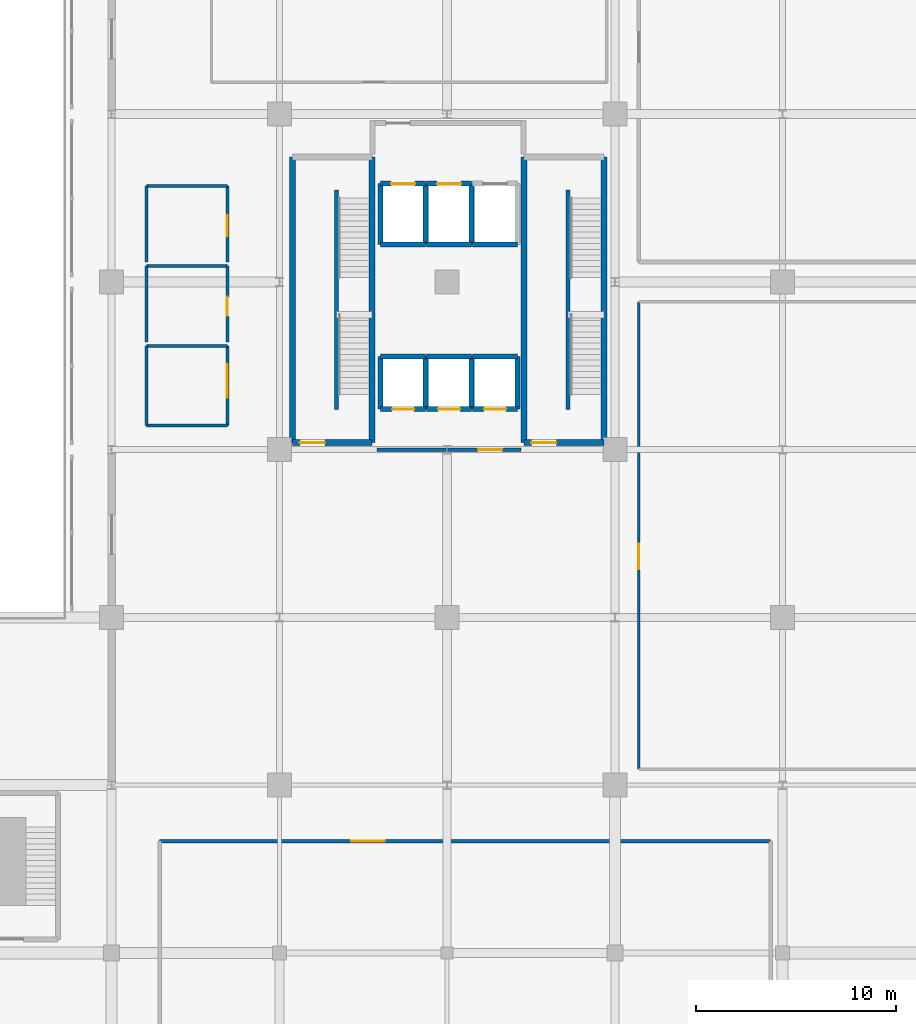
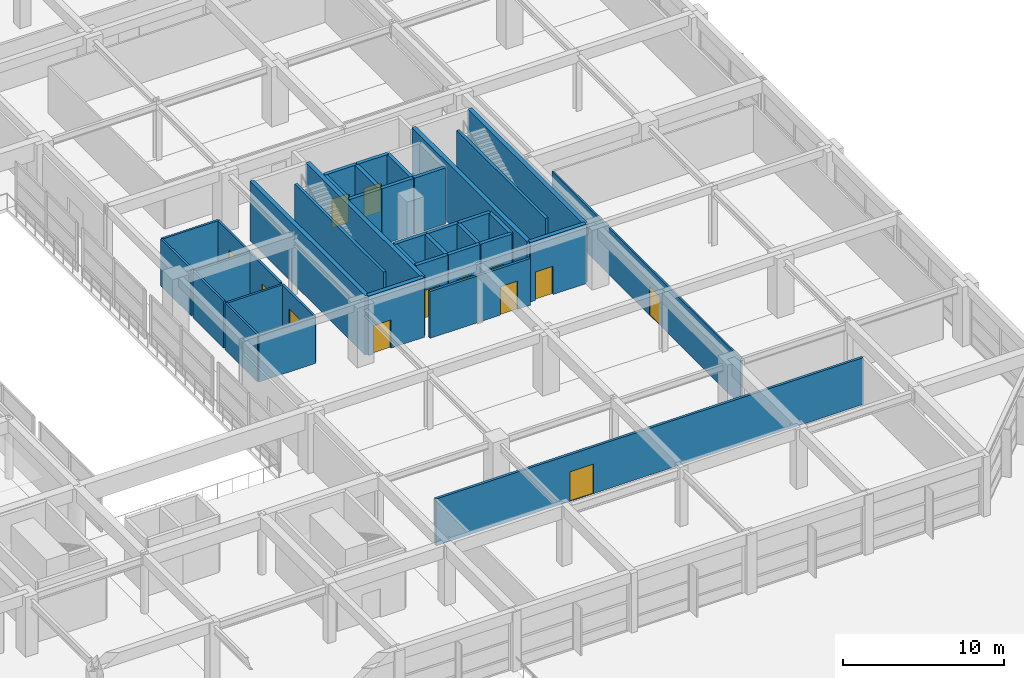
# One storey, part 49 of 60: 39 walls, 13 doors, 13 openings.
"""IFC4 building model written with IfcOpenShell, lengths in metres."""

from ifc_helpers import new_model, si_unit, direction, frame, frame_2d, origin, place, context, subcontext, project, spatial, rectangle, extrude, material, layer, layer_set, type_object, element, fill, save


model = new_model("IFC4")

# Units and contexts
model_context = context("Model", 3, precision=1e-05, world=origin(), true_north=direction((0.0, 1.0)))
body_context = subcontext(model_context, "Body", "Model", "MODEL_VIEW")
ifc_project = project(units=[si_unit("LENGTHUNIT", "METRE"), si_unit("AREAUNIT", "SQUARE_METRE"), si_unit("VOLUMEUNIT", "CUBIC_METRE"), si_unit("PLANEANGLEUNIT", "RADIAN"), si_unit("MASSUNIT", "GRAM", prefix="KILO")], contexts=[model_context])

# Site, building, storey
site_placement = place(None, origin())
site = spatial("IfcSite", under=ifc_project, at=site_placement, CompositionType="ELEMENT")
building_placement = place(site_placement, origin())
building = spatial("IfcBuilding", under=site, at=building_placement, Name="Xuanlan Plaza Opera House", CompositionType="ELEMENT")
storey_placement = place(building_placement, frame((0.0, 0.0, 9.89990234375)))
storey = spatial("IfcBuildingStorey", under=building, at=storey_placement, Name="L02", CompositionType="ELEMENT", Elevation=9.89990234375)

# Wall, opening, door
ifc_material_1 = material(Name="Gypsum Board and Galvanised Steel Studs", Category="gypsum")
ifc_layer_1 = layer(ifc_material_1, 0.179931640625)
ifc_layer_set_1 = layer_set([ifc_layer_1], Name="Gypsum Board and Galvanised Steel Studs")
wall_type_1 = type_object("IfcWallType", Name="INT-WL-PW-02", PredefinedType="PARTITIONING", material=ifc_layer_set_1)
wall_1_placement = place(storey_placement, frame((139.300048828125, 50.39990234375, 0.0), z_axis=(0.0, 0.0, 1.0), x_axis=(1.0, 0.0, 0.0)))
wall_1 = element("IfcWall", 1, at=wall_1_placement, inside=storey, type_object=wall_type_1, Name="Tower Lift Lobby Wall South", PredefinedType="PARTITIONING", context=body_context, shape_type="SweptSolid", body=[
    extrude(rectangle(XDim=7.199951171875, YDim=0.179931640625, at=frame_2d((3.60009765625, 0.0))), origin(), (0.0, 0.0, 1.0), 3.5400390625),
])
opening_1_placement = place(wall_1_placement, frame((5.050048828125, 0.0, 0.0)))
opening_1 = element("IfcOpeningElement", 2, at=opening_1_placement, cuts=wall_1, Name="Opening FD-02", PredefinedType="OPENING", context=body_context, shape_type="SweptSolid", body=[
    extrude(rectangle(XDim=1.199951171875, YDim=2.14990234375, at=frame_2d((0.60009765625, 1.074951171875))), frame((0.0, 0.099853515625, 0.0), z_axis=(0.0, -1.0, 0.0), x_axis=(1.0, 0.0, 0.0)), (0.0, 0.0, 1.0), 0.199951171875),
])
ifc_material_2 = material(Name="Galvanised Steel Q235B", Category="steel")
door_type_1 = type_object("IfcDoorType", Name="INT-DR-FD-02", OperationType="NOTDEFINED", PredefinedType="DOOR", material=ifc_material_2)
door_1_placement = place(opening_1_placement, frame((1.199951171875, 0.0, 0.0), z_axis=(0.0, 0.0, 1.0), x_axis=(-1.0, 0.0, 0.0)))
door_1 = element("IfcDoor", 3, at=door_1_placement, inside=storey, type_object=door_type_1, Name="Tower Lift Lobby Door 1", OperationType="SINGLE_SWING_RIGHT", OverallHeight=2.14990234375, OverallWidth=1.199951171875, PredefinedType="DOOR", context=body_context, shape_type="SweptSolid", body=[
    extrude(rectangle(XDim=1.199951171875, YDim=2.14990234375, at=frame_2d((0.60009765625, 1.074951171875))), frame((0.0, 0.02490234375, 0.0), z_axis=(0.0, -1.0, 0.0), x_axis=(1.0, 0.0, 0.0)), (0.0, 0.0, 1.0), 0.050048828125),
])
fill(opening_1, door_1)

wall_2_placement = place(storey_placement, frame((128.39990234375, 30.800048828125, 0.0), z_axis=(0.0, 0.0, 1.0), x_axis=(1.0, 0.0, 0.0)))
wall_2 = element("IfcWall", 4, at=wall_2_placement, inside=storey, type_object=wall_type_1, Name="Cultural Exchange Archive Wall North", PredefinedType="PARTITIONING", context=body_context, shape_type="SweptSolid", body=[
    extrude(rectangle(XDim=30.60009765625, YDim=0.179931640625, at=frame_2d((15.300048828125, 0.0))), origin(), (0.0, 0.0, 1.0), 3.5400390625),
])
opening_2_placement = place(wall_2_placement, frame((9.60009765625, 0.0, 0.0)))
opening_2 = element("IfcOpeningElement", 5, at=opening_2_placement, cuts=wall_2, Name="Opening D-14", PredefinedType="OPENING", context=body_context, shape_type="SweptSolid", body=[
    extrude(rectangle(XDim=1.679931640625, YDim=2.239990234375, at=frame_2d((0.83984375, 1.1201171875))), frame((0.0, 0.099853515625, 0.0), z_axis=(0.0, -1.0, 0.0), x_axis=(1.0, 0.0, 0.0)), (0.0, 0.0, 1.0), 0.199951171875),
])
ifc_material_3 = material(Name="Oak Hardwood Timber", Category="wood")
door_type_2 = type_object("IfcDoorType", Name="INT-DR-D-14", OperationType="DOUBLE_DOOR_SINGLE_SWING", PredefinedType="DOOR", material=ifc_material_3)
door_2_placement = place(opening_2_placement, origin())
door_2 = element("IfcDoor", 6, at=door_2_placement, inside=storey, type_object=door_type_2, Name="Cultural Exchange Archive Door 1", OperationType="DOUBLE_DOOR_SINGLE_SWING", OverallHeight=2.239990234375, OverallWidth=1.679931640625, PredefinedType="DOOR", context=body_context, shape_type="SweptSolid", body=[
    extrude(rectangle(XDim=1.679931640625, YDim=2.239990234375, at=frame_2d((0.83984375, 1.1201171875))), frame((0.0, 0.02490234375, 0.0), z_axis=(0.0, -1.0, 0.0), x_axis=(1.0, 0.0, 0.0)), (0.0, 0.0, 1.0), 0.050048828125),
])
fill(opening_2, door_2)

# Walls
ifc_material_4 = material(Name="Autoclaved Aerated Blockwork Masonry", Category="masonry")
ifc_layer_2 = layer(ifc_material_4, 0.14990234375)
ifc_layer_set_2 = layer_set([ifc_layer_2], Name="Autoclaved Aerated Blockwork Masonry")
wall_type_2 = type_object("IfcWallType", Name="INT-WL-PW-03", PredefinedType="PARTITIONING", material=ifc_layer_set_2)
for number, where, z_axis, x_axis, name in (
    (7, (127.75, 51.60009765625, 0.0), (0.0, 0.0, 1.0), (1.0, 0.0, 0.0), "Public WC Wall South"),
    (8, (127.75, 55.60009765625, 0.0), (0.0, 0.0, 1.0), (1.0, 0.0, 0.0), "Public WC Wall North"),
):
    element("IfcWall", number, at=place(storey_placement, frame(where, z_axis=z_axis, x_axis=x_axis)), inside=storey, type_object=wall_type_2, Name=name, PredefinedType="PARTITIONING", context=body_context, shape_type="SweptSolid", body=[
        extrude(rectangle(XDim=4.050048828125, YDim=0.14990234375, at=frame_2d((2.02490234375, 0.0))), origin(), (0.0, 0.0, 1.0), 3.5400390625),
    ])
wall_3_placement = place(storey_placement, frame((127.75, 51.60009765625, 0.0), z_axis=(0.0, 0.0, 1.0), x_axis=(0.0, 1.0, 0.0)))
element("IfcWall", 9, at=wall_3_placement, inside=storey, type_object=wall_type_2, Name="Public WC Wall West", PredefinedType="PARTITIONING", context=body_context, shape_type="SweptSolid", body=[
    extrude(rectangle(XDim=4.0, YDim=0.14990234375, at=frame_2d((2.0, 0.0))), origin(), (0.0, 0.0, 1.0), 3.5400390625),
])

# Wall, opening, door
wall_4_placement = place(storey_placement, frame((131.800048828125, 51.60009765625, 0.0), z_axis=(0.0, 0.0, 1.0), x_axis=(0.0, 1.0, 0.0)))
wall_4 = element("IfcWall", 10, at=wall_4_placement, inside=storey, type_object=wall_type_2, Name="Public WC Wall East", PredefinedType="PARTITIONING", context=body_context, shape_type="SweptSolid", body=[
    extrude(rectangle(XDim=4.0, YDim=0.14990234375, at=frame_2d((2.0, 0.0))), origin(), (0.0, 0.0, 1.0), 3.5400390625),
])
opening_3_placement = place(wall_4_placement, frame((1.39990234375, 0.0, 0.0)))
opening_3 = element("IfcOpeningElement", 11, at=opening_3_placement, cuts=wall_4, Name="Opening D-14", PredefinedType="OPENING", context=body_context, shape_type="SweptSolid", body=[
    extrude(rectangle(XDim=1.679931640625, YDim=2.239990234375, at=frame_2d((0.83984375, 1.1201171875))), frame((0.0, 0.0849609375, 0.0), z_axis=(0.0, -1.0, 0.0), x_axis=(1.0, 0.0, 0.0)), (0.0, 0.0, 1.0), 0.169921875),
])
door_3_placement = place(opening_3_placement, origin())
door_3 = element("IfcDoor", 12, at=door_3_placement, inside=storey, type_object=door_type_2, Name="Public WC Door 1", OperationType="DOUBLE_DOOR_SINGLE_SWING", OverallHeight=2.239990234375, OverallWidth=1.679931640625, PredefinedType="DOOR", context=body_context, shape_type="SweptSolid", body=[
    extrude(rectangle(XDim=1.679931640625, YDim=2.239990234375, at=frame_2d((0.83984375, 1.1201171875))), frame((0.0, 0.02490234375, 0.0), z_axis=(0.0, -1.0, 0.0), x_axis=(1.0, 0.0, 0.0)), (0.0, 0.0, 1.0), 0.050048828125),
])
fill(opening_3, door_3)

# Walls
wall_5_placement = place(storey_placement, frame((127.75, 59.60009765625, 0.0), z_axis=(0.0, 0.0, 1.0), x_axis=(1.0, 0.0, 0.0)))
element("IfcWall", 13, at=wall_5_placement, inside=storey, type_object=wall_type_2, Name="Staff WC Wall North", PredefinedType="PARTITIONING", context=body_context, shape_type="SweptSolid", body=[
    extrude(rectangle(XDim=4.050048828125, YDim=0.14990234375, at=frame_2d((2.02490234375, 0.0))), origin(), (0.0, 0.0, 1.0), 3.5400390625),
])
wall_6_placement = place(storey_placement, frame((127.75, 55.800048828125, 0.0), z_axis=(0.0, 0.0, 1.0), x_axis=(0.0, 1.0, 0.0)))
element("IfcWall", 14, at=wall_6_placement, inside=storey, type_object=wall_type_2, Name="Staff WC Wall West", PredefinedType="PARTITIONING", context=body_context, shape_type="SweptSolid", body=[
    extrude(rectangle(XDim=3.800048828125, YDim=0.14990234375, at=frame_2d((1.89990234375, 0.0))), origin(), (0.0, 0.0, 1.0), 3.5400390625),
])

# Wall, opening, door
wall_7_placement = place(storey_placement, frame((131.800048828125, 55.800048828125, 0.0), z_axis=(0.0, 0.0, 1.0), x_axis=(0.0, 1.0, 0.0)))
wall_7 = element("IfcWall", 15, at=wall_7_placement, inside=storey, type_object=wall_type_2, Name="Staff WC Wall East", PredefinedType="PARTITIONING", context=body_context, shape_type="SweptSolid", body=[
    extrude(rectangle(XDim=3.800048828125, YDim=0.14990234375, at=frame_2d((1.89990234375, 0.0))), origin(), (0.0, 0.0, 1.0), 3.5400390625),
])
opening_4_placement = place(wall_7_placement, frame((1.300048828125, 0.0, 0.0)))
opening_4 = element("IfcOpeningElement", 16, at=opening_4_placement, cuts=wall_7, Name="Opening D-01", PredefinedType="OPENING", context=body_context, shape_type="SweptSolid", body=[
    extrude(rectangle(XDim=0.949951171875, YDim=2.10009765625, at=frame_2d((0.47509765625, 1.050048828125))), frame((0.0, 0.0849609375, 0.0), z_axis=(0.0, -1.0, 0.0), x_axis=(1.0, 0.0, 0.0)), (0.0, 0.0, 1.0), 0.169921875),
])
ifc_material_5 = material(Name="Walnut Hardwood Timber", Category="wood")
door_type_3 = type_object("IfcDoorType", Name="INT-DR-D-01", OperationType="NOTDEFINED", PredefinedType="DOOR", material=ifc_material_5)
door_4_placement = place(opening_4_placement, origin())
door_4 = element("IfcDoor", 17, at=door_4_placement, inside=storey, type_object=door_type_3, Name="Staff WC Door 1", OperationType="SINGLE_SWING_RIGHT", OverallHeight=2.10009765625, OverallWidth=0.949951171875, PredefinedType="DOOR", context=body_context, shape_type="SweptSolid", body=[
    extrude(rectangle(XDim=0.949951171875, YDim=2.10009765625, at=frame_2d((0.47509765625, 1.050048828125))), frame((0.0, 0.02490234375, 0.0), z_axis=(0.0, -1.0, 0.0), x_axis=(1.0, 0.0, 0.0)), (0.0, 0.0, 1.0), 0.050048828125),
])
fill(opening_4, door_4)

# Walls
wall_8_placement = place(storey_placement, frame((127.75, 63.60009765625, 0.0), z_axis=(0.0, 0.0, 1.0), x_axis=(1.0, 0.0, 0.0)))
element("IfcWall", 18, at=wall_8_placement, inside=storey, type_object=wall_type_2, Name="Accessible WC Wall North", PredefinedType="PARTITIONING", context=body_context, shape_type="SweptSolid", body=[
    extrude(rectangle(XDim=4.050048828125, YDim=0.14990234375, at=frame_2d((2.02490234375, 0.0))), origin(), (0.0, 0.0, 1.0), 3.5400390625),
])
wall_9_placement = place(storey_placement, frame((127.75, 59.800048828125, 0.0), z_axis=(0.0, 0.0, 1.0), x_axis=(0.0, 1.0, 0.0)))
element("IfcWall", 19, at=wall_9_placement, inside=storey, type_object=wall_type_2, Name="Accessible WC Wall West", PredefinedType="PARTITIONING", context=body_context, shape_type="SweptSolid", body=[
    extrude(rectangle(XDim=3.800048828125, YDim=0.14990234375, at=frame_2d((1.89990234375, 0.0))), origin(), (0.0, 0.0, 1.0), 3.5400390625),
])

# Wall, opening, door
wall_10_placement = place(storey_placement, frame((131.800048828125, 59.800048828125, 0.0), z_axis=(0.0, 0.0, 1.0), x_axis=(0.0, 1.0, 0.0)))
wall_10 = element("IfcWall", 20, at=wall_10_placement, inside=storey, type_object=wall_type_2, Name="Accessible WC Wall East", PredefinedType="PARTITIONING", context=body_context, shape_type="SweptSolid", body=[
    extrude(rectangle(XDim=3.800048828125, YDim=0.14990234375, at=frame_2d((1.89990234375, 0.0))), origin(), (0.0, 0.0, 1.0), 3.5400390625),
])
opening_5_placement = place(wall_10_placement, frame((1.300048828125, 0.0, 0.0)))
opening_5 = element("IfcOpeningElement", 21, at=opening_5_placement, cuts=wall_10, Name="Opening D-16", PredefinedType="OPENING", context=body_context, shape_type="SweptSolid", body=[
    extrude(rectangle(XDim=1.050048828125, YDim=2.159912109375, at=frame_2d((0.52490234375, 1.080078125))), frame((0.0, 0.0849609375, 0.0), z_axis=(0.0, -1.0, 0.0), x_axis=(1.0, 0.0, 0.0)), (0.0, 0.0, 1.0), 0.169921875),
])
door_type_4 = type_object("IfcDoorType", Name="INT-DR-D-16", OperationType="NOTDEFINED", PredefinedType="DOOR", material=ifc_material_3)
door_5_placement = place(opening_5_placement, origin())
door_5 = element("IfcDoor", 22, at=door_5_placement, inside=storey, type_object=door_type_4, Name="Accessible WC Door 1", OperationType="SINGLE_SWING_LEFT", OverallHeight=2.159912109375, OverallWidth=1.050048828125, PredefinedType="DOOR", context=body_context, shape_type="SweptSolid", body=[
    extrude(rectangle(XDim=1.050048828125, YDim=2.159912109375, at=frame_2d((0.52490234375, 1.080078125))), frame((0.0, 0.02490234375, 0.0), z_axis=(0.0, -1.0, 0.0), x_axis=(1.0, 0.0, 0.0)), (0.0, 0.0, 1.0), 0.050048828125),
])
fill(opening_5, door_5)

ifc_layer_3 = layer(ifc_material_1, 0.1201171875)
ifc_layer_set_3 = layer_set([ifc_layer_3], Name="Gypsum Board and Galvanised Steel Studs")
wall_type_3 = type_object("IfcWallType", Name="INT-WL-PW-04", PredefinedType="PARTITIONING", material=ifc_layer_set_3)
wall_11_placement = place(storey_placement, frame((152.39990234375, 34.39990234375, 0.0), z_axis=(0.0, 0.0, 1.0), x_axis=(0.0, 1.0, 0.0)))
wall_11 = element("IfcWall", 23, at=wall_11_placement, inside=storey, type_object=wall_type_3, Name="Symposium Meeting Suite South Wall West", PredefinedType="PARTITIONING", context=body_context, shape_type="SweptSolid", body=[
    extrude(rectangle(XDim=23.400146484375, YDim=0.1201171875, at=frame_2d((11.7001953125, 0.0))), origin(), (0.0, 0.0, 1.0), 3.5400390625),
])
opening_6_placement = place(wall_11_placement, frame((10.0, 0.0, 0.0)))
opening_6 = element("IfcOpeningElement", 24, at=opening_6_placement, cuts=wall_11, Name="Opening D-11", PredefinedType="OPENING", context=body_context, shape_type="SweptSolid", body=[
    extrude(rectangle(XDim=1.280029296875, YDim=2.159912109375, at=frame_2d((0.64013671875, 1.080078125))), frame((0.0, 0.070068359375, 0.0), z_axis=(0.0, -1.0, 0.0), x_axis=(1.0, 0.0, 0.0)), (0.0, 0.0, 1.0), 0.14013671875),
])
door_type_5 = type_object("IfcDoorType", Name="INT-DR-D-11", OperationType="NOTDEFINED", PredefinedType="DOOR", material=ifc_material_5)
door_6_placement = place(opening_6_placement, origin())
door_6 = element("IfcDoor", 25, at=door_6_placement, inside=storey, type_object=door_type_5, Name="Symposium Meeting Suite South Door 1", OperationType="SINGLE_SWING_LEFT", OverallHeight=2.159912109375, OverallWidth=1.280029296875, PredefinedType="DOOR", context=body_context, shape_type="SweptSolid", body=[
    extrude(rectangle(XDim=1.280029296875, YDim=2.159912109375, at=frame_2d((0.64013671875, 1.080078125))), frame((0.0, 0.02490234375, 0.0), z_axis=(0.0, -1.0, 0.0), x_axis=(1.0, 0.0, 0.0)), (0.0, 0.0, 1.0), 0.050048828125),
])
fill(opening_6, door_6)

# Wall
ifc_material_6 = material(Name="Concrete C40", Category="concrete")
ifc_layer_4 = layer(ifc_material_6, 0.25)
ifc_layer_set_4 = layer_set([ifc_layer_4], Name="Concrete C40")
wall_type_4 = type_object("IfcWallType", Name="INT-WL-SW-LF1", PredefinedType="SHEAR", material=ifc_layer_set_4)
wall_12_placement = place(storey_placement, frame((139.47509765625, 60.675048828125, 0.0), z_axis=(0.0, 0.0, 1.0), x_axis=(1.0, 0.0, 0.0)))
element("IfcWall", 26, at=wall_12_placement, inside=storey, type_object=wall_type_4, Name="Lift Shaft Wall LF-FF1 L02 South", PredefinedType="SHEAR", context=body_context, shape_type="SweptSolid", body=[
    extrude(rectangle(XDim=2.25, YDim=0.25, at=frame_2d((1.125, 0.0))), origin(), (0.0, 0.0, 1.0), 4.239990234375),
])

# Wall, opening, door
wall_13_placement = place(storey_placement, frame((139.47509765625, 63.72509765625, 0.0), z_axis=(0.0, 0.0, 1.0), x_axis=(1.0, 0.0, 0.0)))
wall_13 = element("IfcWall", 27, at=wall_13_placement, inside=storey, type_object=wall_type_4, Name="Lift Shaft Wall LF-FF1 L02 North", PredefinedType="SHEAR", context=body_context, shape_type="SweptSolid", body=[
    extrude(rectangle(XDim=2.25, YDim=0.25, at=frame_2d((1.125, 0.0))), origin(), (0.0, 0.0, 1.0), 4.239990234375),
])
opening_7_placement = place(wall_13_placement, frame((0.52490234375, 0.0, 0.0)))
opening_7 = element("IfcOpeningElement", 28, at=opening_7_placement, cuts=wall_13, Name="Opening LD-FF1-L02", PredefinedType="OPENING", context=body_context, shape_type="SweptSolid", body=[
    extrude(rectangle(XDim=1.199951171875, YDim=2.179931640625, at=frame_2d((0.60009765625, 1.08984375))), frame((0.0, 0.135009765625, 0.0), z_axis=(0.0, -1.0, 0.0), x_axis=(1.0, 0.0, 0.0)), (0.0, 0.0, 1.0), 0.27001953125),
])
ifc_material_7 = material(Name="Stainless Steel S30408", Category="steel")
door_type_6 = type_object("IfcDoorType", Name="INT-DR-LD-02", OperationType="DOUBLE_DOOR_SLIDING", PredefinedType="DOOR", material=ifc_material_7)
door_7_placement = place(opening_7_placement, origin())
door_7 = element("IfcDoor", 29, at=door_7_placement, inside=storey, type_object=door_type_6, Name="Lift Sliding Landing Door LF-FF1 L02", OperationType="DOUBLE_DOOR_SLIDING", OverallHeight=2.179931640625, OverallWidth=1.199951171875, PredefinedType="DOOR", context=body_context, shape_type="SweptSolid", body=[
    extrude(rectangle(XDim=1.199951171875, YDim=2.179931640625, at=frame_2d((0.60009765625, 1.08984375))), frame((0.0, 0.02490234375, 0.0), z_axis=(0.0, -1.0, 0.0), x_axis=(1.0, 0.0, 0.0)), (0.0, 0.0, 1.0), 0.050048828125),
])
fill(opening_7, door_7)

# Walls
for number, where, z_axis, x_axis, name in (
    (30, (139.47509765625, 60.675048828125, 0.0), (0.0, 0.0, 1.0), (0.0, 1.0, 0.0), "Lift Shaft Wall LF-FF1 L02 West"),
    (31, (141.72509765625, 60.675048828125, 0.0), (0.0, 0.0, 1.0), (0.0, 1.0, 0.0), "Lift Shaft Wall LF-FF1 L02 East"),
):
    element("IfcWall", number, at=place(storey_placement, frame(where, z_axis=z_axis, x_axis=x_axis)), inside=storey, type_object=wall_type_4, Name=name, PredefinedType="SHEAR", context=body_context, shape_type="SweptSolid", body=[
        extrude(rectangle(XDim=3.050048828125, YDim=0.25, at=frame_2d((1.52490234375, 0.0))), origin(), (0.0, 0.0, 1.0), 4.239990234375),
    ])
wall_14_placement = place(storey_placement, frame((141.77490234375, 60.675048828125, 0.0), z_axis=(0.0, 0.0, 1.0), x_axis=(1.0, 0.0, 0.0)))
element("IfcWall", 32, at=wall_14_placement, inside=storey, type_object=wall_type_4, Name="Lift Shaft Wall LF-FF2 L02 South", PredefinedType="SHEAR", context=body_context, shape_type="SweptSolid", body=[
    extrude(rectangle(XDim=2.25, YDim=0.25, at=frame_2d((1.125, 0.0))), origin(), (0.0, 0.0, 1.0), 4.239990234375),
])

# Wall, opening, door
wall_15_placement = place(storey_placement, frame((141.77490234375, 63.72509765625, 0.0), z_axis=(0.0, 0.0, 1.0), x_axis=(1.0, 0.0, 0.0)))
wall_15 = element("IfcWall", 33, at=wall_15_placement, inside=storey, type_object=wall_type_4, Name="Lift Shaft Wall LF-FF2 L02 North", PredefinedType="SHEAR", context=body_context, shape_type="SweptSolid", body=[
    extrude(rectangle(XDim=2.25, YDim=0.25, at=frame_2d((1.125, 0.0))), origin(), (0.0, 0.0, 1.0), 4.239990234375),
])
opening_8_placement = place(wall_15_placement, frame((0.52490234375, 0.0, 0.0)))
opening_8 = element("IfcOpeningElement", 34, at=opening_8_placement, cuts=wall_15, Name="Opening LD-FF2-L02", PredefinedType="OPENING", context=body_context, shape_type="SweptSolid", body=[
    extrude(rectangle(XDim=1.199951171875, YDim=2.179931640625, at=frame_2d((0.60009765625, 1.08984375))), frame((0.0, 0.135009765625, 0.0), z_axis=(0.0, -1.0, 0.0), x_axis=(1.0, 0.0, 0.0)), (0.0, 0.0, 1.0), 0.27001953125),
])
door_8_placement = place(opening_8_placement, origin())
door_8 = element("IfcDoor", 35, at=door_8_placement, inside=storey, type_object=door_type_6, Name="Lift Sliding Landing Door LF-FF2 L02", OperationType="DOUBLE_DOOR_SLIDING", OverallHeight=2.179931640625, OverallWidth=1.199951171875, PredefinedType="DOOR", context=body_context, shape_type="SweptSolid", body=[
    extrude(rectangle(XDim=1.199951171875, YDim=2.179931640625, at=frame_2d((0.60009765625, 1.08984375))), frame((0.0, 0.02490234375, 0.0), z_axis=(0.0, -1.0, 0.0), x_axis=(1.0, 0.0, 0.0)), (0.0, 0.0, 1.0), 0.050048828125),
])
fill(opening_8, door_8)

# Walls
wall_16_placement = place(storey_placement, frame((144.02490234375, 60.675048828125, 0.0), z_axis=(0.0, 0.0, 1.0), x_axis=(0.0, 1.0, 0.0)))
element("IfcWall", 36, at=wall_16_placement, inside=storey, type_object=wall_type_4, Name="Lift Shaft Wall LF-FF2 L02 East", PredefinedType="SHEAR", context=body_context, shape_type="SweptSolid", body=[
    extrude(rectangle(XDim=3.050048828125, YDim=0.25, at=frame_2d((1.52490234375, 0.0))), origin(), (0.0, 0.0, 1.0), 4.239990234375),
])
wall_17_placement = place(storey_placement, frame((144.074951171875, 60.675048828125, 0.0), z_axis=(0.0, 0.0, 1.0), x_axis=(1.0, 0.0, 0.0)))
element("IfcWall", 37, at=wall_17_placement, inside=storey, type_object=wall_type_4, Name="Lift Shaft Wall LF-FF3 L02 South", PredefinedType="SHEAR", context=body_context, shape_type="SweptSolid", body=[
    extrude(rectangle(XDim=2.25, YDim=0.25, at=frame_2d((1.125, 0.0))), origin(), (0.0, 0.0, 1.0), 4.239990234375),
])

# Wall, opening, door
wall_18_placement = place(storey_placement, frame((139.47509765625, 52.425048828125, 0.0), z_axis=(0.0, 0.0, 1.0), x_axis=(1.0, 0.0, 0.0)))
wall_18 = element("IfcWall", 38, at=wall_18_placement, inside=storey, type_object=wall_type_4, Name="Lift Shaft Wall LF-P1 L02 South", PredefinedType="SHEAR", context=body_context, shape_type="SweptSolid", body=[
    extrude(rectangle(XDim=2.25, YDim=0.25, at=frame_2d((1.125, 0.0))), origin(), (0.0, 0.0, 1.0), 4.239990234375),
])
opening_9_placement = place(wall_18_placement, frame((0.574951171875, 0.0, 0.0)))
opening_9 = element("IfcOpeningElement", 39, at=opening_9_placement, cuts=wall_18, Name="Opening LD-P1-L02", PredefinedType="OPENING", context=body_context, shape_type="SweptSolid", body=[
    extrude(rectangle(XDim=1.10009765625, YDim=2.14990234375, at=frame_2d((0.550048828125, 1.074951171875))), frame((0.0, 0.135009765625, 0.0), z_axis=(0.0, -1.0, 0.0), x_axis=(1.0, 0.0, 0.0)), (0.0, 0.0, 1.0), 0.27001953125),
])
door_type_7 = type_object("IfcDoorType", Name="INT-DR-LD-01", OperationType="DOUBLE_DOOR_SLIDING", PredefinedType="DOOR", material=ifc_material_7)
door_9_placement = place(opening_9_placement, origin())
door_9 = element("IfcDoor", 40, at=door_9_placement, inside=storey, type_object=door_type_7, Name="Lift Sliding Landing Door LF-P1 L02", OperationType="DOUBLE_DOOR_SLIDING", OverallHeight=2.14990234375, OverallWidth=1.10009765625, PredefinedType="DOOR", context=body_context, shape_type="SweptSolid", body=[
    extrude(rectangle(XDim=1.10009765625, YDim=2.14990234375, at=frame_2d((0.550048828125, 1.074951171875))), frame((0.0, 0.02490234375, 0.0), z_axis=(0.0, -1.0, 0.0), x_axis=(1.0, 0.0, 0.0)), (0.0, 0.0, 1.0), 0.050048828125),
])
fill(opening_9, door_9)

# Walls
wall_19_placement = place(storey_placement, frame((139.47509765625, 55.074951171875, 0.0), z_axis=(0.0, 0.0, 1.0), x_axis=(1.0, 0.0, 0.0)))
element("IfcWall", 41, at=wall_19_placement, inside=storey, type_object=wall_type_4, Name="Lift Shaft Wall LF-P1 L02 North", PredefinedType="SHEAR", context=body_context, shape_type="SweptSolid", body=[
    extrude(rectangle(XDim=2.25, YDim=0.25, at=frame_2d((1.125, 0.0))), origin(), (0.0, 0.0, 1.0), 4.239990234375),
])
for number, where, z_axis, x_axis, name in (
    (42, (139.47509765625, 52.425048828125, 0.0), (0.0, 0.0, 1.0), (0.0, 1.0, 0.0), "Lift Shaft Wall LF-P1 L02 West"),
    (43, (141.72509765625, 52.425048828125, 0.0), (0.0, 0.0, 1.0), (0.0, 1.0, 0.0), "Lift Shaft Wall LF-P1 L02 East"),
):
    element("IfcWall", number, at=place(storey_placement, frame(where, z_axis=z_axis, x_axis=x_axis)), inside=storey, type_object=wall_type_4, Name=name, PredefinedType="SHEAR", context=body_context, shape_type="SweptSolid", body=[
        extrude(rectangle(XDim=2.64990234375, YDim=0.25, at=frame_2d((1.324951171875, 0.0))), origin(), (0.0, 0.0, 1.0), 4.239990234375),
    ])

# Wall, opening, door
wall_20_placement = place(storey_placement, frame((141.77490234375, 52.425048828125, 0.0), z_axis=(0.0, 0.0, 1.0), x_axis=(1.0, 0.0, 0.0)))
wall_20 = element("IfcWall", 44, at=wall_20_placement, inside=storey, type_object=wall_type_4, Name="Lift Shaft Wall LF-P2 L02 South", PredefinedType="SHEAR", context=body_context, shape_type="SweptSolid", body=[
    extrude(rectangle(XDim=2.25, YDim=0.25, at=frame_2d((1.125, 0.0))), origin(), (0.0, 0.0, 1.0), 4.239990234375),
])
opening_10_placement = place(wall_20_placement, frame((0.574951171875, 0.0, 0.0)))
opening_10 = element("IfcOpeningElement", 45, at=opening_10_placement, cuts=wall_20, Name="Opening LD-P2-L02", PredefinedType="OPENING", context=body_context, shape_type="SweptSolid", body=[
    extrude(rectangle(XDim=1.10009765625, YDim=2.14990234375, at=frame_2d((0.550048828125, 1.074951171875))), frame((0.0, 0.135009765625, 0.0), z_axis=(0.0, -1.0, 0.0), x_axis=(1.0, 0.0, 0.0)), (0.0, 0.0, 1.0), 0.27001953125),
])
door_10_placement = place(opening_10_placement, origin())
door_10 = element("IfcDoor", 46, at=door_10_placement, inside=storey, type_object=door_type_7, Name="Lift Sliding Landing Door LF-P2 L02", OperationType="DOUBLE_DOOR_SLIDING", OverallHeight=2.14990234375, OverallWidth=1.10009765625, PredefinedType="DOOR", context=body_context, shape_type="SweptSolid", body=[
    extrude(rectangle(XDim=1.10009765625, YDim=2.14990234375, at=frame_2d((0.550048828125, 1.074951171875))), frame((0.0, 0.02490234375, 0.0), z_axis=(0.0, -1.0, 0.0), x_axis=(1.0, 0.0, 0.0)), (0.0, 0.0, 1.0), 0.050048828125),
])
fill(opening_10, door_10)

# Walls
wall_21_placement = place(storey_placement, frame((141.77490234375, 55.074951171875, 0.0), z_axis=(0.0, 0.0, 1.0), x_axis=(1.0, 0.0, 0.0)))
element("IfcWall", 47, at=wall_21_placement, inside=storey, type_object=wall_type_4, Name="Lift Shaft Wall LF-P2 L02 North", PredefinedType="SHEAR", context=body_context, shape_type="SweptSolid", body=[
    extrude(rectangle(XDim=2.25, YDim=0.25, at=frame_2d((1.125, 0.0))), origin(), (0.0, 0.0, 1.0), 4.239990234375),
])
wall_22_placement = place(storey_placement, frame((144.02490234375, 52.425048828125, 0.0), z_axis=(0.0, 0.0, 1.0), x_axis=(0.0, 1.0, 0.0)))
element("IfcWall", 48, at=wall_22_placement, inside=storey, type_object=wall_type_4, Name="Lift Shaft Wall LF-P2 L02 East", PredefinedType="SHEAR", context=body_context, shape_type="SweptSolid", body=[
    extrude(rectangle(XDim=2.64990234375, YDim=0.25, at=frame_2d((1.324951171875, 0.0))), origin(), (0.0, 0.0, 1.0), 4.239990234375),
])

# Wall, opening, door
wall_23_placement = place(storey_placement, frame((144.074951171875, 52.425048828125, 0.0), z_axis=(0.0, 0.0, 1.0), x_axis=(1.0, 0.0, 0.0)))
wall_23 = element("IfcWall", 49, at=wall_23_placement, inside=storey, type_object=wall_type_4, Name="Lift Shaft Wall LF-P3 L02 South", PredefinedType="SHEAR", context=body_context, shape_type="SweptSolid", body=[
    extrude(rectangle(XDim=2.25, YDim=0.25, at=frame_2d((1.125, 0.0))), origin(), (0.0, 0.0, 1.0), 4.239990234375),
])
opening_11_placement = place(wall_23_placement, frame((0.574951171875, 0.0, 0.0)))
opening_11 = element("IfcOpeningElement", 50, at=opening_11_placement, cuts=wall_23, Name="Opening LD-P3-L02", PredefinedType="OPENING", context=body_context, shape_type="SweptSolid", body=[
    extrude(rectangle(XDim=1.10009765625, YDim=2.14990234375, at=frame_2d((0.550048828125, 1.074951171875))), frame((0.0, 0.135009765625, 0.0), z_axis=(0.0, -1.0, 0.0), x_axis=(1.0, 0.0, 0.0)), (0.0, 0.0, 1.0), 0.27001953125),
])
door_11_placement = place(opening_11_placement, origin())
door_11 = element("IfcDoor", 51, at=door_11_placement, inside=storey, type_object=door_type_7, Name="Lift Sliding Landing Door LF-P3 L02", OperationType="DOUBLE_DOOR_SLIDING", OverallHeight=2.14990234375, OverallWidth=1.10009765625, PredefinedType="DOOR", context=body_context, shape_type="SweptSolid", body=[
    extrude(rectangle(XDim=1.10009765625, YDim=2.14990234375, at=frame_2d((0.550048828125, 1.074951171875))), frame((0.0, 0.02490234375, 0.0), z_axis=(0.0, -1.0, 0.0), x_axis=(1.0, 0.0, 0.0)), (0.0, 0.0, 1.0), 0.050048828125),
])
fill(opening_11, door_11)

# Walls
wall_24_placement = place(storey_placement, frame((144.074951171875, 55.074951171875, 0.0), z_axis=(0.0, 0.0, 1.0), x_axis=(1.0, 0.0, 0.0)))
element("IfcWall", 52, at=wall_24_placement, inside=storey, type_object=wall_type_4, Name="Lift Shaft Wall LF-P3 L02 North", PredefinedType="SHEAR", context=body_context, shape_type="SweptSolid", body=[
    extrude(rectangle(XDim=2.25, YDim=0.25, at=frame_2d((1.125, 0.0))), origin(), (0.0, 0.0, 1.0), 4.239990234375),
])
wall_25_placement = place(storey_placement, frame((146.324951171875, 52.425048828125, 0.0), z_axis=(0.0, 0.0, 1.0), x_axis=(0.0, 1.0, 0.0)))
element("IfcWall", 53, at=wall_25_placement, inside=storey, type_object=wall_type_4, Name="Lift Shaft Wall LF-P3 L02 East", PredefinedType="SHEAR", context=body_context, shape_type="SweptSolid", body=[
    extrude(rectangle(XDim=2.64990234375, YDim=0.25, at=frame_2d((1.324951171875, 0.0))), origin(), (0.0, 0.0, 1.0), 4.239990234375),
])
ifc_layer_5 = layer(ifc_material_6, 0.199951171875)
ifc_layer_set_5 = layer_set([ifc_layer_5], Name="Concrete C40")
wall_type_5 = type_object("IfcWallType", Name="INT-WL-SW-SPN", PredefinedType="SHEAR", material=ifc_layer_set_5)
for number, where, z_axis, x_axis, name in (
    (54, (137.25, 52.39990234375, 0.0), (0.0, 0.0, 1.0), (0.0, 1.0, 0.0), "Stair Structural Spine Wall ST-T1 L02"),
    (55, (148.85009765625, 52.39990234375, 0.0), (0.0, 0.0, 1.0), (0.0, 1.0, 0.0), "Stair Structural Spine Wall ST-T2 L02"),
):
    element("IfcWall", number, at=place(storey_placement, frame(where, z_axis=z_axis, x_axis=x_axis)), inside=storey, type_object=wall_type_5, Name=name, PredefinedType="SHEAR", context=body_context, shape_type="SweptSolid", body=[
        extrude(rectangle(XDim=11.0, YDim=0.199951171875, at=frame_2d((5.5, 0.0))), origin(), (0.0, 0.0, 1.0), 4.5),
    ])

# Wall, opening, door
ifc_layer_6 = layer(ifc_material_6, 0.300048828125)
ifc_layer_set_6 = layer_set([ifc_layer_6], Name="Concrete C40")
wall_type_6 = type_object("IfcWallType", Name="INT-WL-SW-ST1", PredefinedType="SHEAR", material=ifc_layer_set_6)
wall_26_placement = place(storey_placement, frame((135.050048828125, 50.75, 0.0), z_axis=(0.0, 0.0, 1.0), x_axis=(1.0, 0.0, 0.0)))
wall_26 = element("IfcWall", 56, at=wall_26_placement, inside=storey, type_object=wall_type_6, Name="Stair Core Wall ST-T1 L02 South", PredefinedType="SHEAR", context=body_context, shape_type="SweptSolid", body=[
    extrude(rectangle(XDim=4.0, YDim=0.300048828125, at=frame_2d((2.0, 0.0))), origin(), (0.0, 0.0, 1.0), 4.5),
])
opening_12_placement = place(wall_26_placement, frame((0.375, 0.0, 0.0)))
opening_12 = element("IfcOpeningElement", 57, at=opening_12_placement, cuts=wall_26, Name="Opening FD-ST1", PredefinedType="OPENING", context=body_context, shape_type="SweptSolid", body=[
    extrude(rectangle(XDim=1.25, YDim=2.14990234375, at=frame_2d((0.625, 1.074951171875))), frame((0.0, 0.159912109375, 0.0), z_axis=(0.0, -1.0, 0.0), x_axis=(1.0, 0.0, 0.0)), (0.0, 0.0, 1.0), 0.320068359375),
])
door_type_8 = type_object("IfcDoorType", Name="INT-DR-FD-ST1", OperationType="NOTDEFINED", PredefinedType="DOOR", material=ifc_material_2)
door_12_placement = place(opening_12_placement, origin())
door_12 = element("IfcDoor", 58, at=door_12_placement, inside=storey, type_object=door_type_8, Name="Stair Enclosure Fire Door ST-T1 L02", OperationType="SINGLE_SWING_LEFT", OverallHeight=2.14990234375, OverallWidth=1.25, PredefinedType="DOOR", context=body_context, shape_type="SweptSolid", body=[
    extrude(rectangle(XDim=1.25, YDim=2.14990234375, at=frame_2d((0.625, 1.074951171875))), frame((0.0, 0.02490234375, 0.0), z_axis=(0.0, -1.0, 0.0), x_axis=(1.0, 0.0, 0.0)), (0.0, 0.0, 1.0), 0.050048828125),
])
fill(opening_12, door_12)

# Walls
for number, where, z_axis, x_axis, name in (
    (59, (135.050048828125, 50.75, 0.0), (0.0, 0.0, 1.0), (0.0, 1.0, 0.0), "Stair Core Wall ST-T1 L02 West"),
    (60, (139.050048828125, 50.75, 0.0), (0.0, 0.0, 1.0), (0.0, 1.0, 0.0), "Stair Core Wall ST-T1 L02 East"),
):
    element("IfcWall", number, at=place(storey_placement, frame(where, z_axis=z_axis, x_axis=x_axis)), inside=storey, type_object=wall_type_6, Name=name, PredefinedType="SHEAR", context=body_context, shape_type="SweptSolid", body=[
        extrude(rectangle(XDim=14.300048828125, YDim=0.300048828125, at=frame_2d((7.14990234375, 0.0))), origin(), (0.0, 0.0, 1.0), 4.5),
    ])

# Wall, opening, door
wall_27_placement = place(storey_placement, frame((146.64990234375, 50.75, 0.0), z_axis=(0.0, 0.0, 1.0), x_axis=(1.0, 0.0, 0.0)))
wall_27 = element("IfcWall", 61, at=wall_27_placement, inside=storey, type_object=wall_type_6, Name="Stair Core Wall ST-T2 L02 South", PredefinedType="SHEAR", context=body_context, shape_type="SweptSolid", body=[
    extrude(rectangle(XDim=4.0, YDim=0.300048828125, at=frame_2d((2.0, 0.0))), origin(), (0.0, 0.0, 1.0), 4.5),
])
opening_13_placement = place(wall_27_placement, frame((0.375, 0.0, 0.0)))
opening_13 = element("IfcOpeningElement", 62, at=opening_13_placement, cuts=wall_27, Name="Opening FD-ST1", PredefinedType="OPENING", context=body_context, shape_type="SweptSolid", body=[
    extrude(rectangle(XDim=1.25, YDim=2.14990234375, at=frame_2d((0.625, 1.074951171875))), frame((0.0, 0.159912109375, 0.0), z_axis=(0.0, -1.0, 0.0), x_axis=(1.0, 0.0, 0.0)), (0.0, 0.0, 1.0), 0.320068359375),
])
door_13_placement = place(opening_13_placement, origin())
door_13 = element("IfcDoor", 63, at=door_13_placement, inside=storey, type_object=door_type_8, Name="Stair Enclosure Fire Door ST-T2 L02", OperationType="SINGLE_SWING_RIGHT", OverallHeight=2.14990234375, OverallWidth=1.25, PredefinedType="DOOR", context=body_context, shape_type="SweptSolid", body=[
    extrude(rectangle(XDim=1.25, YDim=2.14990234375, at=frame_2d((0.625, 1.074951171875))), frame((0.0, 0.02490234375, 0.0), z_axis=(0.0, -1.0, 0.0), x_axis=(1.0, 0.0, 0.0)), (0.0, 0.0, 1.0), 0.050048828125),
])
fill(opening_13, door_13)

# Walls
for number, where, z_axis, x_axis, name in (
    (64, (146.64990234375, 50.75, 0.0), (0.0, 0.0, 1.0), (0.0, 1.0, 0.0), "Stair Core Wall ST-T2 L02 West"),
    (65, (150.64990234375, 50.75, 0.0), (0.0, 0.0, 1.0), (0.0, 1.0, 0.0), "Stair Core Wall ST-T2 L02 East"),
):
    element("IfcWall", number, at=place(storey_placement, frame(where, z_axis=z_axis, x_axis=x_axis)), inside=storey, type_object=wall_type_6, Name=name, PredefinedType="SHEAR", context=body_context, shape_type="SweptSolid", body=[
        extrude(rectangle(XDim=14.300048828125, YDim=0.300048828125, at=frame_2d((7.14990234375, 0.0))), origin(), (0.0, 0.0, 1.0), 4.5),
    ])

save(model, "model.ifc")
